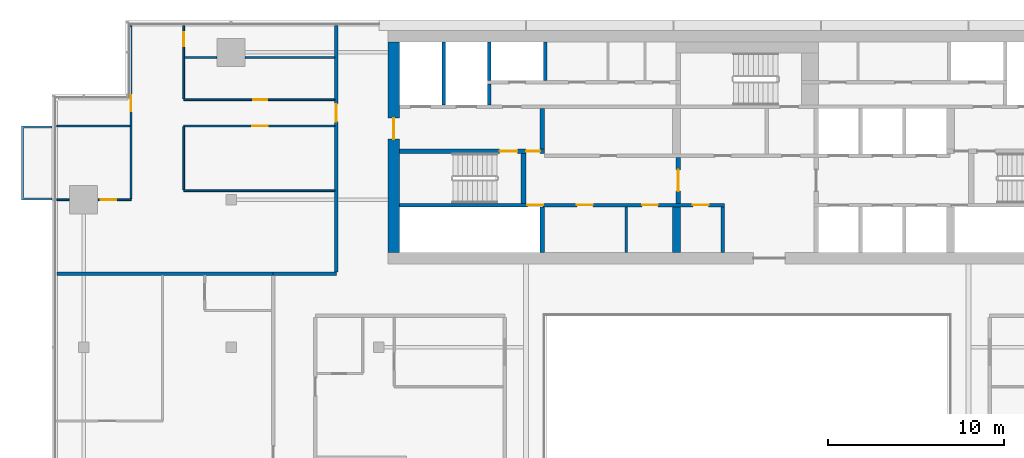
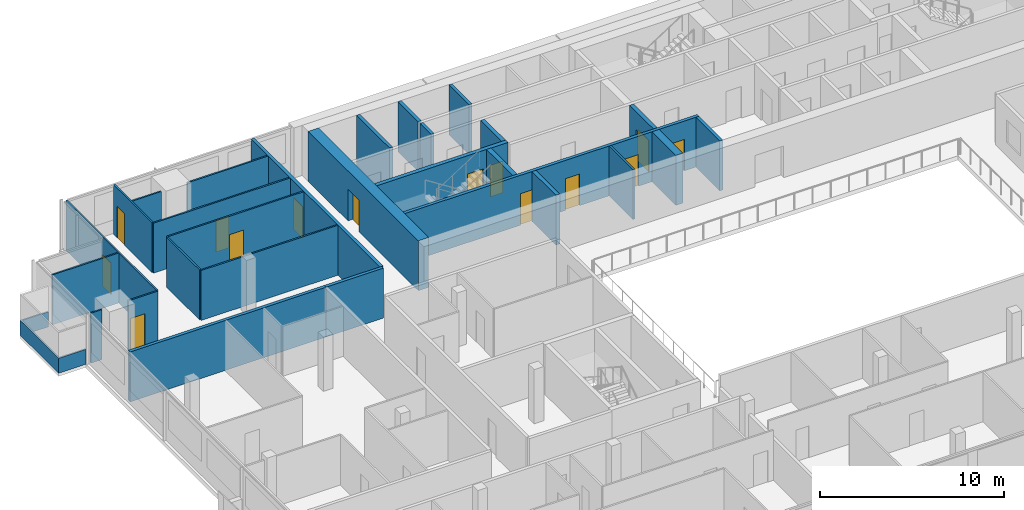
# One storey, part 21 of 30: 29 walls, 14 doors, 14 openings.
"""IFC4 building model written with IfcOpenShell, lengths in metres."""

from ifc_helpers import new_model, si_unit, direction, frame, frame_2d, origin, place, context, subcontext, project, spatial, polyline, rectangle, outline, extrude, material, layer, layer_set, type_object, element, fill, save


model = new_model("IFC4")

# Units and contexts
model_context = context("Model", 3, precision=1e-05, world=origin(), true_north=direction((0.0, 1.0)))
body_context = subcontext(model_context, "Body", "Model", "MODEL_VIEW")
ifc_project = project(units=[si_unit("LENGTHUNIT", "METRE"), si_unit("AREAUNIT", "SQUARE_METRE"), si_unit("VOLUMEUNIT", "CUBIC_METRE"), si_unit("PLANEANGLEUNIT", "RADIAN"), si_unit("MASSUNIT", "GRAM", prefix="KILO")], contexts=[model_context])

# Site, building, storey
site_placement = place(None, origin())
site = spatial("IfcSite", under=ifc_project, at=site_placement, CompositionType="ELEMENT")
building_placement = place(site_placement, origin())
building = spatial("IfcBuilding", under=site, at=building_placement, Name="Saffron Gate Tower", CompositionType="ELEMENT")
storey_placement = place(building_placement, frame((0.0, 0.0, 223.5)))
storey = spatial("IfcBuildingStorey", under=building, at=storey_placement, Name="L54", CompositionType="ELEMENT", Elevation=223.5)

# Walls
ifc_material_1 = material(Name="Gypsum board partition on steel studs", Category="steel")
ifc_layer_1 = layer(ifc_material_1, 0.199951171875)
ifc_layer_set_1 = layer_set([ifc_layer_1], Name="CW10 Core partition 200")
wall_type_1 = type_object("IfcWallType", Name="CW10 Core partition 200", PredefinedType="PARTITIONING", material=ifc_layer_set_1)
wall_1_placement = place(storey_placement, frame((86.199951171875, 62.39990234375, 0.0), z_axis=(0.0, 0.0, 1.0), x_axis=(0.0, 1.0, 0.0)))
element("IfcWall", 1, at=wall_1_placement, inside=storey, type_object=wall_type_1, Name="Wall CW10-L54-8", PredefinedType="PARTITIONING", context=body_context, shape_type="SweptSolid", body=[
    extrude(rectangle(XDim=2.60009765625, YDim=0.199951171875, at=frame_2d((1.300048828125, 0.0))), origin(), (0.0, 0.0, 1.0), 3.320068359375),
])
ifc_material_2 = material(Name="Concrete C60", Category="concrete")
ifc_layer_2 = layer(ifc_material_2, 0.25)
ifc_layer_set_2 = layer_set([ifc_layer_2], Name="CW14 RC core wall 250 C60")
wall_type_2 = type_object("IfcWallType", Name="CW14 RC core wall 250 C60", PredefinedType="SOLIDWALL", material=ifc_layer_set_2)
wall_2_placement = place(storey_placement, frame((75.925048828125, 62.39990234375, 0.0), z_axis=(0.0, 0.0, 1.0), x_axis=(0.0, 1.0, 0.0)))
element("IfcWall", 2, at=wall_2_placement, inside=storey, type_object=wall_type_2, Name="Wall CW14-L54-5", PredefinedType="SOLIDWALL", context=body_context, shape_type="SweptSolid", body=[
    extrude(rectangle(XDim=2.60009765625, YDim=0.25, at=frame_2d((1.300048828125, 0.0))), origin(), (0.0, 0.0, 1.0), 3.320068359375),
])

# Wall, opening, door
wall_3_placement = place(storey_placement, frame((83.675048828125, 65.199951171875, 0.0), z_axis=(0.0, 0.0, 1.0), x_axis=(0.0, 1.0, 0.0)))
wall_3 = element("IfcWall", 3, at=wall_3_placement, inside=storey, type_object=wall_type_2, Name="Wall CW14-L54-16", PredefinedType="SOLIDWALL", context=body_context, shape_type="SweptSolid", body=[
    extrude(rectangle(XDim=2.60009765625, YDim=0.25, at=frame_2d((1.300048828125, 0.0))), origin(), (0.0, 0.0, 1.0), 3.320068359375),
])
opening_1_placement = place(wall_3_placement, frame((0.699951171875, 0.0, 0.0)))
opening_1 = element("IfcOpeningElement", 4, at=opening_1_placement, cuts=wall_3, Name="Opening CR-07", PredefinedType="OPENING", context=body_context, shape_type="SweptSolid", body=[
    extrude(rectangle(XDim=1.199951171875, YDim=2.10009765625, at=frame_2d((0.60009765625, 1.050048828125))), frame((0.0, 0.135009765625, 0.0), z_axis=(0.0, -1.0, 0.0), x_axis=(1.0, 0.0, 0.0)), (0.0, 0.0, 1.0), 0.27001953125),
])
ifc_material_3 = material(Name="Steel fire door set", Category="steel")
door_type_1 = type_object("IfcDoorType", Name="CD3 Lobby door 1200x2100 EI 120", OperationType="NOTDEFINED", PredefinedType="DOOR", material=ifc_material_3)
door_1_placement = place(opening_1_placement, origin())
door_1 = element("IfcDoor", 5, at=door_1_placement, inside=storey, type_object=door_type_1, Name="DOOR CR-07", OperationType="SINGLE_SWING_RIGHT", OverallHeight=2.10009765625, OverallWidth=1.199951171875, PredefinedType="DOOR", context=body_context, shape_type="SweptSolid", body=[
    extrude(rectangle(XDim=1.199951171875, YDim=2.10009765625, at=frame_2d((0.60009765625, 1.050048828125))), frame((0.0, 0.02490234375, 0.0), z_axis=(0.0, -1.0, 0.0), x_axis=(1.0, 0.0, 0.0)), (0.0, 0.0, 1.0), 0.050048828125),
])
fill(opening_1, door_1)

# Wall, openings, doors
wall_4_placement = place(storey_placement, frame((67.800048828125, 68.175048828125, 0.0), z_axis=(0.0, 0.0, 1.0), x_axis=(1.0, 0.0, 0.0)))
wall_4 = element("IfcWall", 6, at=wall_4_placement, inside=storey, type_object=wall_type_2, Name="Wall CW14-L54-26", PredefinedType="SOLIDWALL", context=body_context, shape_type="SweptSolid", body=[
    extrude(rectangle(XDim=8.25, YDim=0.25, at=frame_2d((4.125, 0.0))), origin(), (0.0, 0.0, 1.0), 3.320068359375),
])
opening_2_placement = place(wall_4_placement, frame((5.699951171875, 0.0, 0.0)))
opening_2 = element("IfcOpeningElement", 7, at=opening_2_placement, cuts=wall_4, Name="Opening CR-15", PredefinedType="OPENING", context=body_context, shape_type="SweptSolid", body=[
    extrude(rectangle(XDim=1.0, YDim=2.10009765625, at=frame_2d((0.5, 1.050048828125))), frame((0.0, 0.135009765625, 0.0), z_axis=(0.0, -1.0, 0.0), x_axis=(1.0, 0.0, 0.0)), (0.0, 0.0, 1.0), 0.27001953125),
])
opening_3_placement = place(wall_4_placement, frame((7.199951171875, 0.0, 0.0)))
opening_3 = element("IfcOpeningElement", 8, at=opening_3_placement, cuts=wall_4, Name="Opening CR-06", PredefinedType="OPENING", context=body_context, shape_type="SweptSolid", body=[
    extrude(rectangle(XDim=0.800048828125, YDim=2.10009765625, at=frame_2d((0.39990234375, 1.050048828125))), frame((0.0, 0.135009765625, 0.0), z_axis=(0.0, -1.0, 0.0), x_axis=(1.0, 0.0, 0.0)), (0.0, 0.0, 1.0), 0.27001953125),
])
door_type_2 = type_object("IfcDoorType", Name="CD5 Stair door 1000x2100 EI 120", OperationType="NOTDEFINED", PredefinedType="DOOR", material=ifc_material_3)
door_2_placement = place(opening_2_placement, origin())
door_2 = element("IfcDoor", 9, at=door_2_placement, inside=storey, type_object=door_type_2, Name="DOOR CR-15", OperationType="SINGLE_SWING_RIGHT", OverallHeight=2.10009765625, OverallWidth=1.0, PredefinedType="DOOR", context=body_context, shape_type="SweptSolid", body=[
    extrude(rectangle(XDim=1.0, YDim=2.10009765625, at=frame_2d((0.5, 1.050048828125))), frame((0.0, 0.02490234375, 0.0), z_axis=(0.0, -1.0, 0.0), x_axis=(1.0, 0.0, 0.0)), (0.0, 0.0, 1.0), 0.050048828125),
])
fill(opening_2, door_2)
door_type_3 = type_object("IfcDoorType", Name="CD6 Lobby door 800x2100 EI 120", OperationType="NOTDEFINED", PredefinedType="DOOR", material=ifc_material_3)
door_3_placement = place(opening_3_placement, origin())
door_3 = element("IfcDoor", 10, at=door_3_placement, inside=storey, type_object=door_type_3, Name="DOOR CR-06", OperationType="SINGLE_SWING_LEFT", OverallHeight=2.10009765625, OverallWidth=0.800048828125, PredefinedType="DOOR", context=body_context, shape_type="SweptSolid", body=[
    extrude(rectangle(XDim=0.800048828125, YDim=2.10009765625, at=frame_2d((0.39990234375, 1.050048828125))), frame((0.0, 0.02490234375, 0.0), z_axis=(0.0, -1.0, 0.0), x_axis=(1.0, 0.0, 0.0)), (0.0, 0.0, 1.0), 0.050048828125),
])
fill(opening_3, door_3)

# Wall
wall_5_placement = place(storey_placement, frame((75.925048828125, 68.300048828125, 0.0), z_axis=(0.0, 0.0, 1.0), x_axis=(0.0, 1.0, 0.0)))
element("IfcWall", 11, at=wall_5_placement, inside=storey, type_object=wall_type_2, Name="Wall CW14-L54-28", PredefinedType="SOLIDWALL", context=body_context, shape_type="SweptSolid", body=[
    extrude(rectangle(XDim=2.300048828125, YDim=0.25, at=frame_2d((1.14990234375, 0.0))), origin(), (0.0, 0.0, 1.0), 3.320068359375),
])

# Wall, openings, doors
ifc_layer_3 = layer(ifc_material_2, 0.199951171875)
ifc_layer_set_3 = layer_set([ifc_layer_3], Name="CW15 RC core wall 200 C60")
wall_type_3 = type_object("IfcWallType", Name="CW15 RC core wall 200 C60", PredefinedType="SOLIDWALL", material=ifc_layer_set_3)
wall_6_placement = place(storey_placement, frame((67.800048828125, 65.10009765625, 0.0), z_axis=(0.0, 0.0, 1.0), x_axis=(1.0, 0.0, 0.0)))
wall_6 = element("IfcWall", 12, at=wall_6_placement, inside=storey, type_object=wall_type_3, Name="Wall CW15-L54-13", PredefinedType="SOLIDWALL", context=body_context, shape_type="SweptSolid", body=[
    extrude(rectangle(XDim=18.5, YDim=0.199951171875, at=frame_2d((9.25, 0.0))), origin(), (0.0, 0.0, 1.0), 3.320068359375),
])
opening_4_placement = place(wall_6_placement, frame((7.27001953125, 0.0, 0.0)))
opening_4 = element("IfcOpeningElement", 13, at=opening_4_placement, cuts=wall_6, Name="Opening CR-49", PredefinedType="OPENING", context=body_context, shape_type="SweptSolid", body=[
    extrude(rectangle(XDim=0.89990234375, YDim=2.10009765625, at=frame_2d((0.449951171875, 1.050048828125))), frame((0.0, 0.10986328125, 0.0), z_axis=(0.0, -1.0, 0.0), x_axis=(1.0, 0.0, 0.0)), (0.0, 0.0, 1.0), 0.219970703125),
])
opening_5_placement = place(wall_6_placement, frame((10.10009765625, 0.0, 0.0)))
opening_5 = element("IfcOpeningElement", 14, at=opening_5_placement, cuts=wall_6, Name="Opening CR-64", PredefinedType="OPENING", context=body_context, shape_type="SweptSolid", body=[
    extrude(rectangle(XDim=0.89990234375, YDim=2.10009765625, at=frame_2d((0.449951171875, 1.050048828125))), frame((0.0, 0.10986328125, 0.0), z_axis=(0.0, -1.0, 0.0), x_axis=(1.0, 0.0, 0.0)), (0.0, 0.0, 1.0), 0.219970703125),
])
opening_6_placement = place(wall_6_placement, frame((13.81005859375, 0.0, 0.0)))
opening_6 = element("IfcOpeningElement", 15, at=opening_6_placement, cuts=wall_6, Name="Opening CR-65", PredefinedType="OPENING", context=body_context, shape_type="SweptSolid", body=[
    extrude(rectangle(XDim=0.89990234375, YDim=2.10009765625, at=frame_2d((0.449951171875, 1.050048828125))), frame((0.0, 0.10986328125, 0.0), z_axis=(0.0, -1.0, 0.0), x_axis=(1.0, 0.0, 0.0)), (0.0, 0.0, 1.0), 0.219970703125),
])
opening_7_placement = place(wall_6_placement, frame((16.699951171875, 0.0, 0.0)))
opening_7 = element("IfcOpeningElement", 16, at=opening_7_placement, cuts=wall_6, Name="Opening CR-69", PredefinedType="OPENING", context=body_context, shape_type="SweptSolid", body=[
    extrude(rectangle(XDim=0.89990234375, YDim=2.10009765625, at=frame_2d((0.449951171875, 1.050048828125))), frame((0.0, 0.10986328125, 0.0), z_axis=(0.0, -1.0, 0.0), x_axis=(1.0, 0.0, 0.0)), (0.0, 0.0, 1.0), 0.219970703125),
])
door_type_4 = type_object("IfcDoorType", Name="CD2 Riser door 900x2100 EI 60", OperationType="NOTDEFINED", PredefinedType="DOOR", material=ifc_material_3)
door_4_placement = place(opening_4_placement, origin())
door_4 = element("IfcDoor", 17, at=door_4_placement, inside=storey, type_object=door_type_4, Name="DOOR CR-49", OperationType="SINGLE_SWING_LEFT", OverallHeight=2.10009765625, OverallWidth=0.89990234375, PredefinedType="DOOR", context=body_context, shape_type="SweptSolid", body=[
    extrude(rectangle(XDim=0.89990234375, YDim=2.10009765625, at=frame_2d((0.449951171875, 1.050048828125))), frame((0.0, 0.02490234375, 0.0), z_axis=(0.0, -1.0, 0.0), x_axis=(1.0, 0.0, 0.0)), (0.0, 0.0, 1.0), 0.050048828125),
])
fill(opening_4, door_4)
door_type_5 = type_object("IfcDoorType", Name="CD9 Room door 900x2100 EI 60", OperationType="NOTDEFINED", PredefinedType="DOOR", material=ifc_material_3)
door_5_placement = place(opening_5_placement, origin())
door_5 = element("IfcDoor", 18, at=door_5_placement, inside=storey, type_object=door_type_5, Name="DOOR CR-64", OperationType="SINGLE_SWING_RIGHT", OverallHeight=2.10009765625, OverallWidth=0.89990234375, PredefinedType="DOOR", context=body_context, shape_type="SweptSolid", body=[
    extrude(rectangle(XDim=0.89990234375, YDim=2.10009765625, at=frame_2d((0.449951171875, 1.050048828125))), frame((0.0, 0.02490234375, 0.0), z_axis=(0.0, -1.0, 0.0), x_axis=(1.0, 0.0, 0.0)), (0.0, 0.0, 1.0), 0.050048828125),
])
fill(opening_5, door_5)
door_6_placement = place(opening_6_placement, origin())
door_6 = element("IfcDoor", 19, at=door_6_placement, inside=storey, type_object=door_type_5, Name="DOOR CR-65", OperationType="SINGLE_SWING_RIGHT", OverallHeight=2.10009765625, OverallWidth=0.89990234375, PredefinedType="DOOR", context=body_context, shape_type="SweptSolid", body=[
    extrude(rectangle(XDim=0.89990234375, YDim=2.10009765625, at=frame_2d((0.449951171875, 1.050048828125))), frame((0.0, 0.02490234375, 0.0), z_axis=(0.0, -1.0, 0.0), x_axis=(1.0, 0.0, 0.0)), (0.0, 0.0, 1.0), 0.050048828125),
])
fill(opening_6, door_6)
door_7_placement = place(opening_7_placement, origin())
door_7 = element("IfcDoor", 20, at=door_7_placement, inside=storey, type_object=door_type_5, Name="DOOR CR-69", OperationType="SINGLE_SWING_RIGHT", OverallHeight=2.10009765625, OverallWidth=0.89990234375, PredefinedType="DOOR", context=body_context, shape_type="SweptSolid", body=[
    extrude(rectangle(XDim=0.89990234375, YDim=2.10009765625, at=frame_2d((0.449951171875, 1.050048828125))), frame((0.0, 0.02490234375, 0.0), z_axis=(0.0, -1.0, 0.0), x_axis=(1.0, 0.0, 0.0)), (0.0, 0.0, 1.0), 0.050048828125),
])
fill(opening_7, door_7)

# Walls
wall_7_placement = place(storey_placement, frame((70.300048828125, 70.800048828125, 0.0), z_axis=(0.0, 0.0, 1.0), x_axis=(0.0, 1.0, 0.0)))
element("IfcWall", 21, at=wall_7_placement, inside=storey, type_object=wall_type_3, Name="Wall CW15-L54-31", PredefinedType="SOLIDWALL", context=body_context, shape_type="SweptSolid", body=[
    extrude(rectangle(XDim=3.599853515625, YDim=0.199951171875, at=frame_2d((1.7998046875, 0.0))), origin(), (0.0, 0.0, 1.0), 3.320068359375),
])
wall_8_placement = place(storey_placement, frame((72.89990234375, 70.800048828125, 0.0), z_axis=(0.0, 0.0, 1.0), x_axis=(0.0, 1.0, 0.0)))
element("IfcWall", 22, at=wall_8_placement, inside=storey, type_object=wall_type_3, Name="Wall CW15-L54-32", PredefinedType="SOLIDWALL", context=body_context, shape_type="SweptSolid", body=[
    extrude(rectangle(XDim=1.199951171875, YDim=0.199951171875, at=frame_2d((0.60009765625, 0.0))), origin(), (0.0, 0.0, 1.0), 3.320068359375),
])
for number, where, z_axis, x_axis, name in (
    (23, (72.89990234375, 72.199951171875, 0.0), (0.0, 0.0, 1.0), (0.0, 1.0, 0.0), "Wall CW15-L54-39"),
    (24, (76.10009765625, 72.199951171875, 0.0), (0.0, 0.0, 1.0), (0.0, 1.0, 0.0), "Wall CW15-L54-40"),
):
    element("IfcWall", number, at=place(storey_placement, frame(where, z_axis=z_axis, x_axis=x_axis)), inside=storey, type_object=wall_type_3, Name=name, PredefinedType="SOLIDWALL", context=body_context, shape_type="SweptSolid", body=[
        extrude(rectangle(XDim=2.199951171875, YDim=0.199951171875, at=frame_2d((1.10009765625, 0.0))), origin(), (0.0, 0.0, 1.0), 3.320068359375),
    ])
ifc_layer_4 = layer(ifc_material_2, 0.449951171875)
ifc_layer_set_4 = layer_set([ifc_layer_4], Name="CW16 RC core wall 450 C60")
wall_type_4 = type_object("IfcWallType", Name="CW16 RC core wall 450 C60", PredefinedType="SOLIDWALL", material=ifc_layer_set_4)
wall_9_placement = place(storey_placement, frame((83.574951171875, 62.39990234375, 0.0), z_axis=(0.0, 0.0, 1.0), x_axis=(0.0, 1.0, 0.0)))
element("IfcWall", 25, at=wall_9_placement, inside=storey, type_object=wall_type_4, Name="Wall CW16-L54-7", PredefinedType="SOLIDWALL", context=body_context, shape_type="SweptSolid", body=[
    extrude(rectangle(XDim=2.60009765625, YDim=0.449951171875, at=frame_2d((1.300048828125, 0.0))), origin(), (0.0, 0.0, 1.0), 3.320068359375),
])
ifc_layer_5 = layer(ifc_material_2, 0.300048828125)
ifc_layer_set_5 = layer_set([ifc_layer_5], Name="CW17 RC core wall 300 C60")
wall_type_5 = type_object("IfcWallType", Name="CW17 RC core wall 300 C60", PredefinedType="SOLIDWALL", material=ifc_layer_set_5)
wall_10_placement = place(storey_placement, frame((74.85009765625, 65.199951171875, 0.0), z_axis=(0.0, 0.0, 1.0), x_axis=(0.0, 1.0, 0.0)))
element("IfcWall", 26, at=wall_10_placement, inside=storey, type_object=wall_type_5, Name="Wall CW17-L54-15", PredefinedType="SOLIDWALL", context=body_context, shape_type="SweptSolid", body=[
    extrude(rectangle(XDim=2.85009765625, YDim=0.300048828125, at=frame_2d((1.425048828125, 0.0))), origin(), (0.0, 0.0, 1.0), 3.320068359375),
])

# Wall, opening, door
ifc_layer_6 = layer(ifc_material_2, 0.64990234375)
ifc_layer_set_6 = layer_set([ifc_layer_6], Name="CW20 RC core wall 650 C60")
wall_type_6 = type_object("IfcWallType", Name="CW20 RC core wall 650 C60", PredefinedType="SOLIDWALL", material=ifc_layer_set_6)
wall_11_placement = place(storey_placement, frame((67.47509765625, 62.39990234375, 0.0), z_axis=(0.0, 0.0, 1.0), x_axis=(0.0, 1.0, 0.0)))
wall_11 = element("IfcWall", 27, at=wall_11_placement, inside=storey, type_object=wall_type_6, Name="Wall CW20-L54-3", PredefinedType="SOLIDWALL", context=body_context, shape_type="SweptSolid", body=[
    extrude(rectangle(XDim=12.0, YDim=0.64990234375, at=frame_2d((6.0, 0.0))), origin(), (0.0, 0.0, 1.0), 3.320068359375),
])
opening_8_placement = place(wall_11_placement, frame((6.449951171875, 0.0, 0.0)))
opening_8 = element("IfcOpeningElement", 28, at=opening_8_placement, cuts=wall_11, Name="Opening CR-10", PredefinedType="OPENING", context=body_context, shape_type="SweptSolid", body=[
    extrude(rectangle(XDim=1.199951171875, YDim=2.10009765625, at=frame_2d((0.60009765625, 1.050048828125))), frame((0.0, 0.3349609375, 0.0), z_axis=(0.0, -1.0, 0.0), x_axis=(1.0, 0.0, 0.0)), (0.0, 0.0, 1.0), 0.669921875),
])
door_type_6 = type_object("IfcDoorType", Name="CD7 Core entrance door 1200x2100 EI 120", OperationType="NOTDEFINED", PredefinedType="DOOR", material=ifc_material_3)
door_8_placement = place(opening_8_placement, origin())
door_8 = element("IfcDoor", 29, at=door_8_placement, inside=storey, type_object=door_type_6, Name="DOOR CR-10", OperationType="SINGLE_SWING_LEFT", OverallHeight=2.10009765625, OverallWidth=1.199951171875, PredefinedType="DOOR", context=body_context, shape_type="SweptSolid", body=[
    extrude(rectangle(XDim=1.199951171875, YDim=2.10009765625, at=frame_2d((0.60009765625, 1.050048828125))), frame((0.0, 0.02490234375, 0.0), z_axis=(0.0, -1.0, 0.0), x_axis=(1.0, 0.0, 0.0)), (0.0, 0.0, 1.0), 0.050048828125),
])
fill(opening_8, door_8)

# Walls
ifc_layer_7 = layer(ifc_material_1, 0.1201171875)
ifc_layer_set_7 = layer_set([ifc_layer_7], Name="CW8 Core partition 120")
wall_type_7 = type_object("IfcWallType", Name="CW8 Core partition 120", PredefinedType="PARTITIONING", material=ifc_layer_set_7)
wall_12_placement = place(storey_placement, frame((80.7099609375, 62.39990234375, 0.0), z_axis=(0.0, 0.0, 1.0), x_axis=(0.0, 1.0, 0.0)))
element("IfcWall", 30, at=wall_12_placement, inside=storey, type_object=wall_type_7, Name="Wall CW8-L54-6", PredefinedType="PARTITIONING", context=body_context, shape_type="SweptSolid", body=[
    extrude(rectangle(XDim=2.60009765625, YDim=0.1201171875, at=frame_2d((1.300048828125, 0.0))), origin(), (0.0, 0.0, 1.0), 3.320068359375),
])
ifc_material_4 = material(Name="Plasterboard on steel studs", Category="steel")
ifc_layer_8 = layer(ifc_material_4, 0.10009765625)
ifc_layer_set_8 = layer_set([ifc_layer_8], Name="PW1 Partition 100")
wall_type_8 = type_object("IfcWallType", Name="PW1 Partition 100", PredefinedType="PARTITIONING", material=ifc_layer_set_8)
wall_13_placement = place(storey_placement, frame((48.280029296875, 65.39990234375, 0.0), z_axis=(0.0, 0.0, 1.0), x_axis=(1.0, 0.0, 0.0)))
element("IfcWall", 31, at=wall_13_placement, inside=storey, type_object=wall_type_8, Name="Partition D2-44", PredefinedType="PARTITIONING", context=body_context, shape_type="SweptSolid", body=[
    extrude(rectangle(XDim=0.699951171875, YDim=0.10009765625, at=frame_2d((0.35009765625, 0.0))), origin(), (0.0, 0.0, 1.0), 3.320068359375),
])

# Wall, opening, door
wall_14_placement = place(storey_placement, frame((50.6201171875, 65.39990234375, 0.0), z_axis=(0.0, 0.0, 1.0), x_axis=(1.0, 0.0, 0.0)))
wall_14 = element("IfcWall", 32, at=wall_14_placement, inside=storey, type_object=wall_type_8, Name="Partition D2-45", PredefinedType="PARTITIONING", context=body_context, shape_type="SweptSolid", body=[
    extrude(rectangle(XDim=1.8798828125, YDim=0.10009765625, at=frame_2d((0.93994140625, 0.0))), origin(), (0.0, 0.0, 1.0), 3.320068359375),
])
opening_9_placement = place(wall_14_placement, frame((0.14990234375, 0.0, 0.0)))
opening_9 = element("IfcOpeningElement", 33, at=opening_9_placement, cuts=wall_14, Name="Opening D2-28", PredefinedType="OPENING", context=body_context, shape_type="SweptSolid", body=[
    extrude(rectangle(XDim=0.89990234375, YDim=2.10009765625, at=frame_2d((0.449951171875, 1.050048828125))), frame((0.0, 0.06005859375, 0.0), z_axis=(0.0, -1.0, 0.0), x_axis=(1.0, 0.0, 0.0)), (0.0, 0.0, 1.0), 0.1201171875),
])
ifc_material_5 = material(Name="Timber door set", Category="wood")
door_type_7 = type_object("IfcDoorType", Name="RD1 Room door 900x2100", OperationType="NOTDEFINED", PredefinedType="DOOR", material=ifc_material_5)
door_9_placement = place(opening_9_placement, origin())
door_9 = element("IfcDoor", 34, at=door_9_placement, inside=storey, type_object=door_type_7, Name="Door D2-28", OperationType="SINGLE_SWING_LEFT", OverallHeight=2.10009765625, OverallWidth=0.89990234375, PredefinedType="DOOR", context=body_context, shape_type="SweptSolid", body=[
    extrude(rectangle(XDim=0.89990234375, YDim=2.10009765625, at=frame_2d((0.449951171875, 1.050048828125))), frame((0.0, 0.02490234375, 0.0), z_axis=(0.0, -1.0, 0.0), x_axis=(1.0, 0.0, 0.0)), (0.0, 0.0, 1.0), 0.050048828125),
])
fill(opening_9, door_9)

# Walls
wall_15_placement = place(storey_placement, frame((55.5, 65.91259765625, 0.0), z_axis=(0.0, 0.0, 1.0), x_axis=(1.0, 0.0, 0.0)))
element("IfcWall", 35, at=wall_15_placement, inside=storey, type_object=wall_type_8, Name="Partition D2-48", PredefinedType="PARTITIONING", context=body_context, shape_type="SweptSolid", body=[
    extrude(rectangle(XDim=8.60009765625, YDim=0.10009765625, at=frame_2d((4.300048828125, 0.0))), origin(), (0.0, 0.0, 1.0), 3.320068359375),
])
wall_16_placement = place(storey_placement, frame((48.280029296875, 69.60009765625, 0.0), z_axis=(0.0, 0.0, 1.0), x_axis=(1.0, 0.0, 0.0)))
element("IfcWall", 36, at=wall_16_placement, inside=storey, type_object=wall_type_8, Name="Partition D2-50", PredefinedType="PARTITIONING", context=body_context, shape_type="SweptSolid", body=[
    extrude(rectangle(XDim=4.169921875, YDim=0.10009765625, at=frame_2d((2.0849609375, 0.0))), origin(), (0.0, 0.0, 1.0), 3.320068359375),
])

# Wall, opening, door
wall_17_placement = place(storey_placement, frame((64.10009765625, 69.60009765625, 0.0), z_axis=(0.0, 0.0, 1.0), x_axis=(-1.0, 0.0, 0.0)))
wall_17 = element("IfcWall", 37, at=wall_17_placement, inside=storey, type_object=wall_type_8, Name="Partition D2-51", PredefinedType="PARTITIONING", context=body_context, shape_type="SweptSolid", body=[
    extrude(rectangle(XDim=8.60009765625, YDim=0.10009765625, at=frame_2d((4.300048828125, 0.0))), origin(), (0.0, 0.0, 1.0), 3.320068359375),
])
opening_10_placement = place(wall_17_placement, frame((3.800048828125, 0.0, 0.0)))
opening_10 = element("IfcOpeningElement", 38, at=opening_10_placement, cuts=wall_17, Name="Opening D2-30", PredefinedType="OPENING", context=body_context, shape_type="SweptSolid", body=[
    extrude(rectangle(XDim=0.89990234375, YDim=2.10009765625, at=frame_2d((0.449951171875, 1.050048828125))), frame((0.0, 0.06005859375, 0.0), z_axis=(0.0, -1.0, 0.0), x_axis=(1.0, 0.0, 0.0)), (0.0, 0.0, 1.0), 0.1201171875),
])
door_10_placement = place(opening_10_placement, origin())
door_10 = element("IfcDoor", 39, at=door_10_placement, inside=storey, type_object=door_type_7, Name="Door D2-30", OperationType="SINGLE_SWING_LEFT", OverallHeight=2.10009765625, OverallWidth=0.89990234375, PredefinedType="DOOR", context=body_context, shape_type="SweptSolid", body=[
    extrude(rectangle(XDim=0.89990234375, YDim=2.10009765625, at=frame_2d((0.449951171875, 1.050048828125))), frame((0.0, 0.02490234375, 0.0), z_axis=(0.0, -1.0, 0.0), x_axis=(1.0, 0.0, 0.0)), (0.0, 0.0, 1.0), 0.050048828125),
])
fill(opening_10, door_10)

wall_18_placement = place(storey_placement, frame((55.5, 71.10009765625, 0.0), z_axis=(0.0, 0.0, 1.0), x_axis=(1.0, 0.0, 0.0)))
wall_18 = element("IfcWall", 40, at=wall_18_placement, inside=storey, type_object=wall_type_8, Name="Partition D2-54", PredefinedType="PARTITIONING", context=body_context, shape_type="SweptSolid", body=[
    extrude(rectangle(XDim=8.60009765625, YDim=0.10009765625, at=frame_2d((4.300048828125, 0.0))), origin(), (0.0, 0.0, 1.0), 3.320068359375),
])
opening_11_placement = place(wall_18_placement, frame((3.949951171875, 0.0, 0.0)))
opening_11 = element("IfcOpeningElement", 41, at=opening_11_placement, cuts=wall_18, Name="Opening D2-47", PredefinedType="OPENING", context=body_context, shape_type="SweptSolid", body=[
    extrude(rectangle(XDim=0.800048828125, YDim=2.10009765625, at=frame_2d((0.39990234375, 1.050048828125))), frame((0.0, 0.06005859375, 0.0), z_axis=(0.0, -1.0, 0.0), x_axis=(1.0, 0.0, 0.0)), (0.0, 0.0, 1.0), 0.1201171875),
])
door_type_8 = type_object("IfcDoorType", Name="RD2 Bathroom door 800x2100", OperationType="NOTDEFINED", PredefinedType="DOOR", material=ifc_material_5)
door_11_placement = place(opening_11_placement, origin())
door_11 = element("IfcDoor", 42, at=door_11_placement, inside=storey, type_object=door_type_8, Name="Door D2-47", OperationType="SINGLE_SWING_RIGHT", OverallHeight=2.10009765625, OverallWidth=0.800048828125, PredefinedType="DOOR", context=body_context, shape_type="SweptSolid", body=[
    extrude(rectangle(XDim=0.800048828125, YDim=2.10009765625, at=frame_2d((0.39990234375, 1.050048828125))), frame((0.0, 0.02490234375, 0.0), z_axis=(0.0, -1.0, 0.0), x_axis=(1.0, 0.0, 0.0)), (0.0, 0.0, 1.0), 0.050048828125),
])
fill(opening_11, door_11)

# Walls
wall_19_placement = place(storey_placement, frame((55.550048828125, 73.5, 0.0), z_axis=(0.0, 0.0, 1.0), x_axis=(1.0, 0.0, 0.0)))
element("IfcWall", 43, at=wall_19_placement, inside=storey, type_object=wall_type_8, Name="Partition D2-56", PredefinedType="PARTITIONING", context=body_context, shape_type="SweptSolid", body=[
    extrude(rectangle(XDim=1.829833984375, YDim=0.10009765625, at=frame_2d((0.9150390625, 0.0))), origin(), (0.0, 0.0, 1.0), 3.320068359375),
])
wall_20_placement = place(storey_placement, frame((59.02001953125, 73.5, 0.0), z_axis=(0.0, 0.0, 1.0), x_axis=(1.0, 0.0, 0.0)))
element("IfcWall", 44, at=wall_20_placement, inside=storey, type_object=wall_type_8, Name="Partition D2-57", PredefinedType="PARTITIONING", context=body_context, shape_type="SweptSolid", body=[
    extrude(rectangle(XDim=5.080078125, YDim=0.10009765625, at=frame_2d((2.5400390625, 0.0))), origin(), (0.0, 0.0, 1.0), 3.320068359375),
])

# Wall, opening, door
wall_21_placement = place(storey_placement, frame((52.5, 65.449951171875, 0.0), z_axis=(0.0, 0.0, 1.0), x_axis=(0.0, 1.0, 0.0)))
wall_21 = element("IfcWall", 45, at=wall_21_placement, inside=storey, type_object=wall_type_8, Name="Partition D2-58", PredefinedType="PARTITIONING", context=body_context, shape_type="SweptSolid", body=[
    extrude(rectangle(XDim=9.8701171875, YDim=0.10009765625, at=frame_2d((4.93505859375, 0.0))), origin(), (0.0, 0.0, 1.0), 3.320068359375),
])
opening_12_placement = place(wall_21_placement, frame((5.00390625, 0.0, 0.0)))
opening_12 = element("IfcOpeningElement", 46, at=opening_12_placement, cuts=wall_21, Name="Opening D2-29", PredefinedType="OPENING", context=body_context, shape_type="SweptSolid", body=[
    extrude(rectangle(XDim=0.89990234375, YDim=2.10009765625, at=frame_2d((0.449951171875, 1.050048828125))), frame((0.0, 0.06005859375, 0.0), z_axis=(0.0, -1.0, 0.0), x_axis=(1.0, 0.0, 0.0)), (0.0, 0.0, 1.0), 0.1201171875),
])
door_12_placement = place(opening_12_placement, origin())
door_12 = element("IfcDoor", 47, at=door_12_placement, inside=storey, type_object=door_type_7, Name="Door D2-29", OperationType="SINGLE_SWING_LEFT", OverallHeight=2.10009765625, OverallWidth=0.89990234375, PredefinedType="DOOR", context=body_context, shape_type="SweptSolid", body=[
    extrude(rectangle(XDim=0.89990234375, YDim=2.10009765625, at=frame_2d((0.449951171875, 1.050048828125))), frame((0.0, 0.02490234375, 0.0), z_axis=(0.0, -1.0, 0.0), x_axis=(1.0, 0.0, 0.0)), (0.0, 0.0, 1.0), 0.050048828125),
])
fill(opening_12, door_12)

# Wall
wall_22_placement = place(storey_placement, frame((55.5, 69.550048828125, 0.0), z_axis=(0.0, 0.0, 1.0), x_axis=(0.0, -1.0, 0.0)))
element("IfcWall", 48, at=wall_22_placement, inside=storey, type_object=wall_type_8, Name="Partition D2-63", PredefinedType="PARTITIONING", context=body_context, shape_type="SweptSolid", body=[
    extrude(rectangle(XDim=3.58740234375, YDim=0.10009765625, at=frame_2d((1.793701171875, 0.0))), origin(), (0.0, 0.0, 1.0), 3.320068359375),
])

# Wall, opening, door
wall_23_placement = place(storey_placement, frame((55.5, 75.320068359375, 0.0), z_axis=(0.0, 0.0, 1.0), x_axis=(0.0, -1.0, 0.0)))
wall_23 = element("IfcWall", 49, at=wall_23_placement, inside=storey, type_object=wall_type_8, Name="Partition D2-64", PredefinedType="PARTITIONING", context=body_context, shape_type="SweptSolid", body=[
    extrude(rectangle(XDim=4.170166015625, YDim=0.10009765625, at=frame_2d((2.0849609375, 0.0))), origin(), (0.0, 0.0, 1.0), 3.320068359375),
])
opening_13_placement = place(wall_23_placement, frame((0.3701171875, 0.0, 0.0)))
opening_13 = element("IfcOpeningElement", 50, at=opening_13_placement, cuts=wall_23, Name="Opening D2-48", PredefinedType="OPENING", context=body_context, shape_type="SweptSolid", body=[
    extrude(rectangle(XDim=0.800048828125, YDim=2.10009765625, at=frame_2d((0.39990234375, 1.050048828125))), frame((0.0, 0.06005859375, 0.0), z_axis=(0.0, -1.0, 0.0), x_axis=(1.0, 0.0, 0.0)), (0.0, 0.0, 1.0), 0.1201171875),
])
door_13_placement = place(opening_13_placement, origin())
door_13 = element("IfcDoor", 51, at=door_13_placement, inside=storey, type_object=door_type_8, Name="Door D2-48", OperationType="SINGLE_SWING_LEFT", OverallHeight=2.10009765625, OverallWidth=0.800048828125, PredefinedType="DOOR", context=body_context, shape_type="SweptSolid", body=[
    extrude(rectangle(XDim=0.800048828125, YDim=2.10009765625, at=frame_2d((0.39990234375, 1.050048828125))), frame((0.0, 0.02490234375, 0.0), z_axis=(0.0, -1.0, 0.0), x_axis=(1.0, 0.0, 0.0)), (0.0, 0.0, 1.0), 0.050048828125),
])
fill(opening_13, door_13)

# Walls
ifc_material_6 = material(Name="Clay brick masonry, rendered", Category="masonry")
ifc_layer_9 = layer(ifc_material_6, 0.199951171875)
ifc_layer_set_9 = layer_set([ifc_layer_9], Name="PW2 Demising wall 200")
wall_type_9 = type_object("IfcWallType", Name="PW2 Demising wall 200", PredefinedType="PARTITIONING", material=ifc_layer_set_9)
wall_24_placement = place(storey_placement, frame((48.280029296875, 61.199951171875, 0.0), z_axis=(0.0, 0.0, 1.0), x_axis=(1.0, 0.0, 0.0)))
element("IfcWall", 52, at=wall_24_placement, inside=storey, type_object=wall_type_9, Name="Wall D2-42", PredefinedType="PARTITIONING", context=body_context, shape_type="SweptSolid", body=[
    extrude(rectangle(XDim=12.320068359375, YDim=0.199951171875, at=frame_2d((6.16015625, 0.0))), origin(), (0.0, 0.0, 1.0), 3.320068359375),
])
ifc_layer_10 = layer(ifc_material_6, 0.199951171875)
ifc_layer_set_10 = layer_set([ifc_layer_10], Name="PW3 Corridor wall 200")
wall_type_10 = type_object("IfcWallType", Name="PW3 Corridor wall 200", PredefinedType="PARTITIONING", material=ifc_layer_set_10)
wall_25_placement = place(storey_placement, frame((60.60009765625, 61.199951171875, 0.0), z_axis=(0.0, 0.0, 1.0), x_axis=(1.0, 0.0, 0.0)))
element("IfcWall", 53, at=wall_25_placement, inside=storey, type_object=wall_type_10, Name="Wall D2-40", PredefinedType="PARTITIONING", context=body_context, shape_type="SweptSolid", body=[
    extrude(rectangle(XDim=3.599853515625, YDim=0.199951171875, at=frame_2d((1.7998046875, 0.0))), origin(), (0.0, 0.0, 1.0), 3.320068359375),
])

# Wall, opening, door
wall_26_placement = place(storey_placement, frame((64.199951171875, 61.300048828125, 0.0), z_axis=(0.0, 0.0, 1.0), x_axis=(0.0, 1.0, 0.0)))
wall_26 = element("IfcWall", 54, at=wall_26_placement, inside=storey, type_object=wall_type_10, Name="Wall D2-71", PredefinedType="PARTITIONING", context=body_context, shape_type="SweptSolid", body=[
    extrude(rectangle(XDim=14.02001953125, YDim=0.199951171875, at=frame_2d((7.010009765625, 0.0))), origin(), (0.0, 0.0, 1.0), 3.320068359375),
])
opening_14_placement = place(wall_26_placement, frame((8.550048828125, 0.0, 0.0)))
opening_14 = element("IfcOpeningElement", 55, at=opening_14_placement, cuts=wall_26, Name="Opening D2-5", PredefinedType="OPENING", context=body_context, shape_type="SweptSolid", body=[
    extrude(rectangle(XDim=1.0, YDim=2.10009765625, at=frame_2d((0.5, 1.050048828125))), frame((0.0, 0.10986328125, 0.0), z_axis=(0.0, -1.0, 0.0), x_axis=(1.0, 0.0, 0.0)), (0.0, 0.0, 1.0), 0.219970703125),
])
ifc_material_7 = material(Name="Timber fire door set", Category="wood")
door_type_9 = type_object("IfcDoorType", Name="FD1 Flat entry door 1000x2100", OperationType="NOTDEFINED", PredefinedType="DOOR", material=ifc_material_7)
door_14_placement = place(opening_14_placement, origin())
door_14 = element("IfcDoor", 56, at=door_14_placement, inside=storey, type_object=door_type_9, Name="Door D2-5", OperationType="SINGLE_SWING_LEFT", OverallHeight=2.10009765625, OverallWidth=1.0, PredefinedType="DOOR", context=body_context, shape_type="SweptSolid", body=[
    extrude(rectangle(XDim=1.0, YDim=2.10009765625, at=frame_2d((0.5, 1.050048828125))), frame((0.0, 0.02490234375, 0.0), z_axis=(0.0, -1.0, 0.0), x_axis=(1.0, 0.0, 0.0)), (0.0, 0.0, 1.0), 0.050048828125),
])
fill(opening_14, door_14)

# Wall
ifc_material_8 = material(Name="Rendered insulated panel, white")
ifc_layer_11 = layer(ifc_material_8, 0.10009765625)
ifc_layer_set_11 = layer_set([ifc_layer_11], Name="WB3 box parapet white")
wall_type_11 = type_object("IfcWallType", Name="WB3 box parapet white", PredefinedType="SOLIDWALL", material=ifc_layer_set_11)
wall_27_placement = place(storey_placement, origin())
element("IfcWall", 57, at=wall_27_placement, inside=storey, type_object=wall_type_11, Name="WINDOW BOX parapet", PredefinedType="SOLIDWALL", context=body_context, shape_type="SweptSolid", body=[
    extrude(outline(polyline([(48.0, 69.60009765625), (48.0, 69.5), (46.366943359375, 69.5), (46.366943359375, 65.5), (48.0, 65.5), (48.0, 65.39990234375), (46.26708984375, 65.39990234375), (46.26708984375, 69.60009765625), (48.0, 69.60009765625)])), origin(), (0.0, 0.0, 1.0), 1.0),
])

save(model, "model.ifc")
